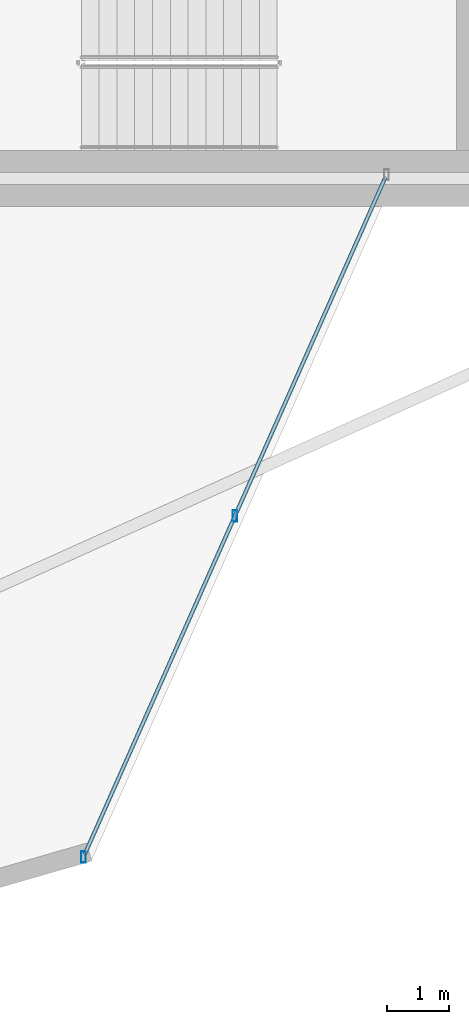
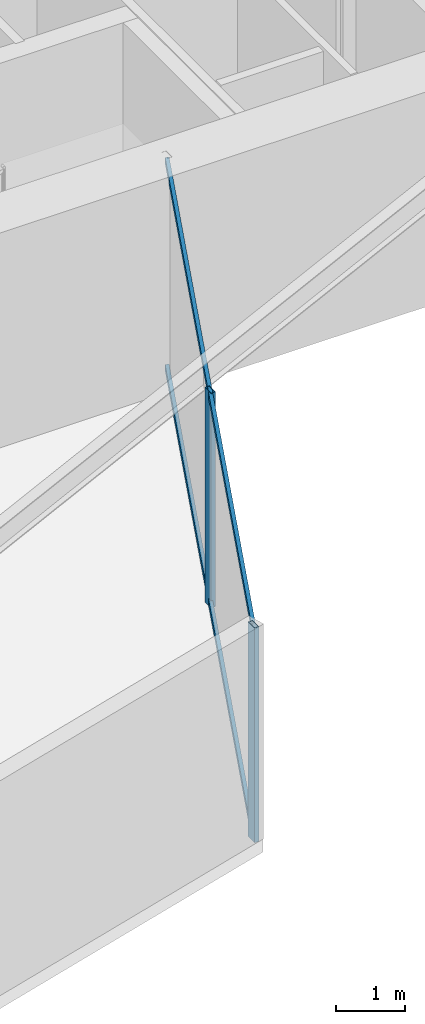
# One storey, part 10 of 24: 4 members, 1 element without a shape of its own.
"""IFC4 building model written with IfcOpenShell, lengths in metres."""

from ifc_helpers import new_model, si_unit, direction, frame, origin, origin_2d, place, context, subcontext, project, spatial, hollow_rectangle, extrude, material, layer, layer_set, material_profile, profile_set, type_object, element, aggregate, save


model = new_model("IFC4")

# Units and contexts
model_context = context("Model", 3, precision=1e-05, world=origin(), true_north=direction((0.0, 1.0)))
body_context = subcontext(model_context, "Body", "Model", "MODEL_VIEW")
ifc_project = project(units=[si_unit("LENGTHUNIT", "METRE"), si_unit("AREAUNIT", "SQUARE_METRE"), si_unit("VOLUMEUNIT", "CUBIC_METRE"), si_unit("PLANEANGLEUNIT", "RADIAN"), si_unit("MASSUNIT", "GRAM", prefix="KILO")], contexts=[model_context])

# Site, building, storey
site_placement = place(None, origin())
site = spatial("IfcSite", under=ifc_project, at=site_placement, CompositionType="ELEMENT")
building_placement = place(site_placement, origin())
building = spatial("IfcBuilding", under=site, at=building_placement, Name="Veymaron Broadcast Tower", CompositionType="ELEMENT")
storey_placement = place(building_placement, frame((0.0, 0.0, 98.550048828125)))
storey = spatial("IfcBuildingStorey", under=building, at=storey_placement, Name="L22", CompositionType="ELEMENT", Elevation=98.550048828125)

# Curtain wall, members
ifc_material_1 = material(Name="Anodised aluminium AA 6063-T6 and laminated low-E dark glass", Category="aluminium")
ifc_layer = layer(ifc_material_1, 0.179931640625)
ifc_layer_set = layer_set([ifc_layer], Name="Anodised aluminium AA 6063-T6 and laminated low-E dark glass")
curtain_wall_type = type_object("IfcCurtainWallType", Name="CW-SYS-02", PredefinedType="NOTDEFINED", material=ifc_layer_set)
curtain_wall_placement = place(storey_placement, origin())
curtain_wall = element("IfcCurtainWall", 1, at=curtain_wall_placement, inside=storey, type_object=curtain_wall_type, Name="L22 dark-glass curtain wall CW-L22-E20-1", PredefinedType="NOTDEFINED")
ifc_material_2 = material(Name="Anodised aluminium AA 6063-T6", Category="aluminium")
ifc_material_profile_1 = material_profile(ifc_material_2, hollow_rectangle(XDim=0.074951171875, YDim=0.179931640625, WallThickness=0.0048828125, at=origin_2d()), Name="AL180X75X5")
ifc_profile_set_1 = profile_set([ifc_material_profile_1], Name="Anodised aluminium AA 6063-T6")
member_type_1 = type_object("IfcMemberType", Name="CW-MUL-02", PredefinedType="MULLION", material=ifc_profile_set_1)
member_1_placement = place(storey_placement, frame((41.464111328125, 5.130859375, 0.0), z_axis=(0.0, 0.0, 1.0), x_axis=(1.0, 0.0, 0.0)))
member_1 = element("IfcMember", 2, at=member_1_placement, type_object=member_type_1, Name="CW-L22-E20-1 mullion 0", PredefinedType="MULLION", context=body_context, shape_type="SweptSolid", body=[
    extrude(hollow_rectangle(XDim=0.074951171875, YDim=0.179931640625, WallThickness=0.0048828125, at=origin_2d()), origin(), (0.0, 0.0, 1.0), 3.81005859375),
])
member_2_placement = place(storey_placement, frame((43.890380859375, 10.59375, 0.0), z_axis=(0.0, 0.0, 1.0), x_axis=(1.0, 0.0, 0.0)))
member_2 = element("IfcMember", 3, at=member_2_placement, type_object=member_type_1, Name="CW-L22-E20-1 mullion 1", PredefinedType="MULLION", context=body_context, shape_type="SweptSolid", body=[
    extrude(hollow_rectangle(XDim=0.074951171875, YDim=0.179931640625, WallThickness=0.0048828125, at=origin_2d()), origin(), (0.0, 0.0, 1.0), 3.81005859375),
])
ifc_material_profile_2 = material_profile(ifc_material_2, hollow_rectangle(XDim=0.06005859375, YDim=0.1201171875, WallThickness=0.00390625, at=origin_2d()), Name="AL120X60X4")
ifc_profile_set_2 = profile_set([ifc_material_profile_2], Name="Anodised aluminium AA 6063-T6")
member_type_2 = type_object("IfcMemberType", Name="CW-TRN-02", PredefinedType="USERDEFINED", material=ifc_profile_set_2)
member_3_placement = place(storey_placement, frame((41.484375, 5.176513671875, 0.070068359375), z_axis=(0.40590533863, 0.913915125201, 0.0), x_axis=(-0.913915125201, 0.40590533863, 0.0)))
member_3 = element("IfcMember", 4, at=member_3_placement, type_object=member_type_2, Name="CW-L22-E20-1 transom B", ObjectType="TRANSOM", PredefinedType="USERDEFINED", context=body_context, shape_type="SweptSolid", body=[
    extrude(hollow_rectangle(XDim=0.06005859375, YDim=0.1201171875, WallThickness=0.00390625, at=origin_2d()), origin(), (0.0, 0.0, 1.0), 11.85498046875),
])
member_4_placement = place(storey_placement, frame((41.484375, 5.176513671875, 3.739990234375), z_axis=(0.40590533863, 0.913915125201, 0.0), x_axis=(-0.913915125201, 0.40590533863, 0.0)))
member_4 = element("IfcMember", 5, at=member_4_placement, type_object=member_type_2, Name="CW-L22-E20-1 transom T", ObjectType="TRANSOM", PredefinedType="USERDEFINED", context=body_context, shape_type="SweptSolid", body=[
    extrude(hollow_rectangle(XDim=0.06005859375, YDim=0.1201171875, WallThickness=0.00390625, at=origin_2d()), origin(), (0.0, 0.0, 1.0), 11.85498046875),
])
aggregate(curtain_wall, [member_1, member_2, member_3, member_4])

save(model, "model.ifc")
